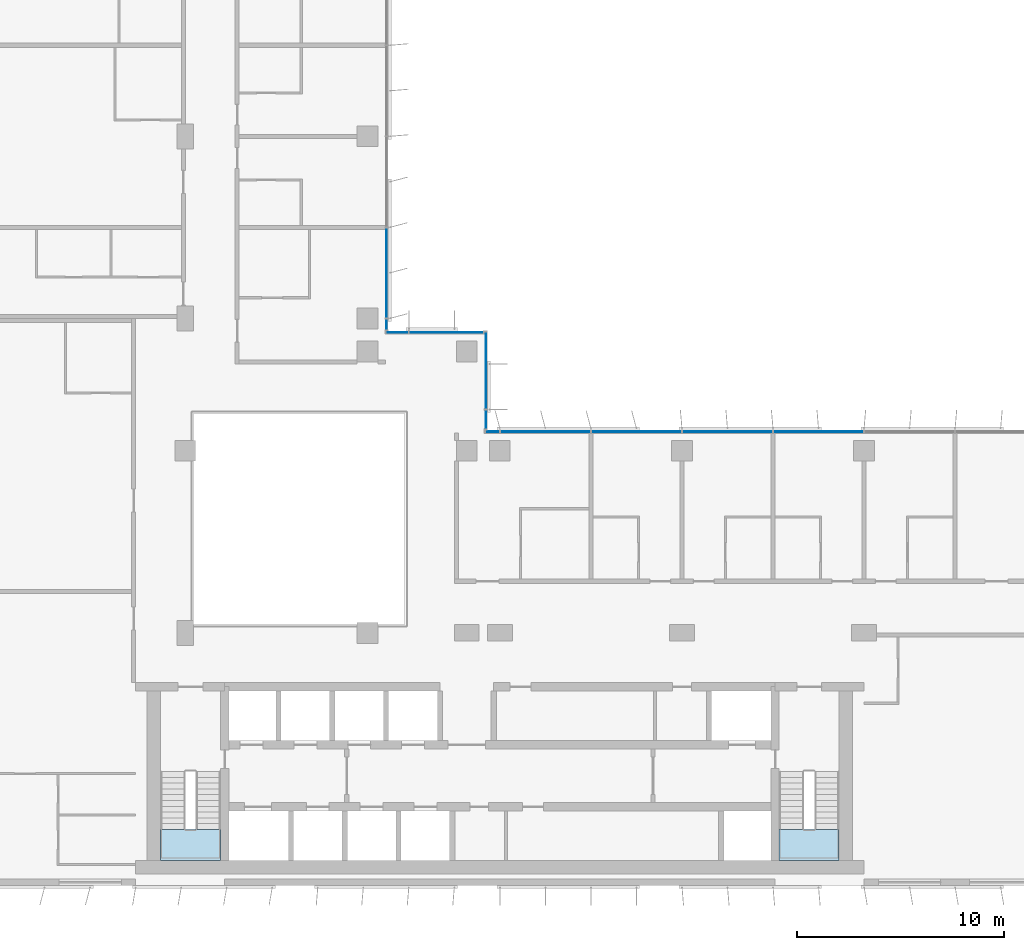
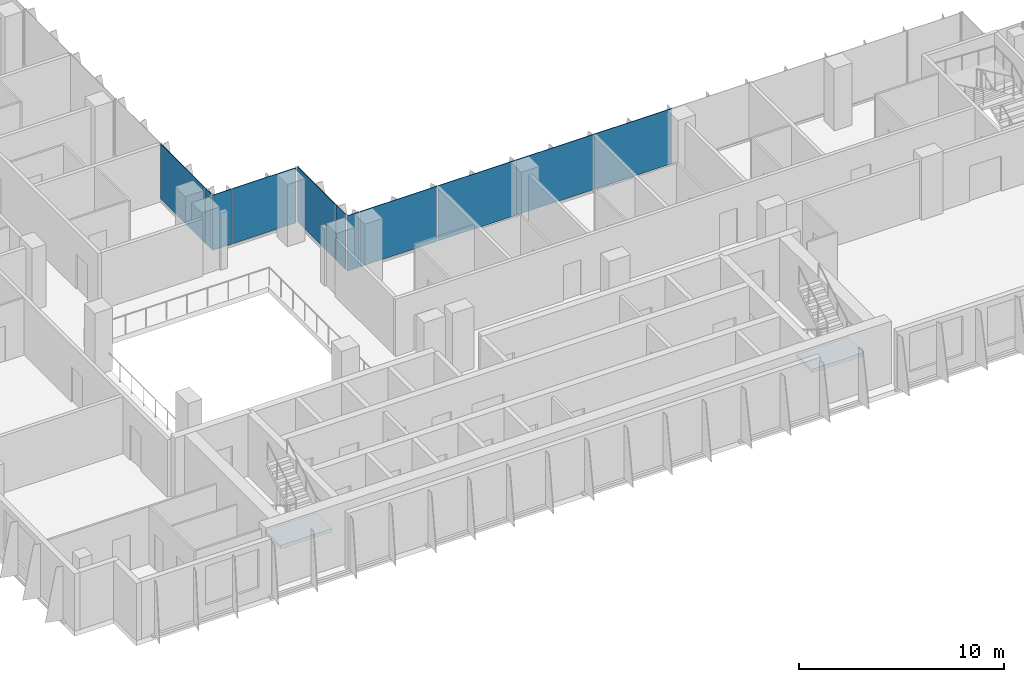
# One storey, part 10 of 21: 11 plates, 2 slabs, 6 elements without a shape of their own.
"""IFC4 building model written with IfcOpenShell, lengths in metres."""

import ifcopenshell
import ifcopenshell.guid

model = None  # the IFC model being written
_history = None  # IfcOwnerHistory: only IFC2X3 demands one
_inside = {}  # id of a spatial element -> (the spatial element, [elements in it])
_under = {}  # id of a project, library or spatial element -> (it, [spatial elements below it])
_declared = {}  # id of a project -> (the project, [libraries it declares])
_typed = {}  # id of a type object -> (the type object, [elements of that type])
_made_of = {}  # id of a material, layer set ... -> (it, [elements and type objects made of it])


def new_model(schema):
    """Start an empty IFC model of exactly this schema.

    Asked for "IFC4X3", IfcOpenShell would pick the latest addendum, in which some entities
    have other attributes; the version numbers below select the first issue.
    IFC2X3 requires an IfcOwnerHistory on every rooted entity: one is made here for all.
    """
    global model, _history
    if schema == "IFC4X3":
        model = ifcopenshell.file(schema_version=(4, 3, 0, 0))
    else:
        model = ifcopenshell.file(schema=schema)
    _inside.clear()
    _under.clear()
    _declared.clear()
    _typed.clear()
    _made_of.clear()
    _history = None
    if model.schema == "IFC2X3":
        org = make("IfcOrganization", Name="unknown")
        user = make(
            "IfcPersonAndOrganization",
            ThePerson=make("IfcPerson", FamilyName="unknown"),
            TheOrganization=org,
        )
        app = make(
            "IfcApplication",
            ApplicationDeveloper=org,
            Version="unknown",
            ApplicationFullName="unknown",
            ApplicationIdentifier="unknown",
        )
        _history = make(
            "IfcOwnerHistory",
            OwningUser=user,
            OwningApplication=app,
            ChangeAction="ADDED",
            CreationDate=0,
        )
    return model


def make(cls, **values):
    """One entity of the class cls with the attributes given. An attribute that is None is left unset."""
    return model.create_entity(
        cls, **{name: value for name, value in values.items() if value is not None}
    )


def rooted(cls, **values):
    """An entity with a GlobalId (a new one), such as an element, a storey or a relation."""
    return make(cls, GlobalId=ifcopenshell.guid.new(), OwnerHistory=_history, **values)


def si_unit(unit_type, name, prefix=None):
    """IfcSIUnit, for example si_unit("LENGTHUNIT", "METRE", prefix="MILLI")."""
    return make("IfcSIUnit", UnitType=unit_type, Prefix=prefix, Name=name)


def assignment(units):
    """IfcUnitAssignment: the units of a project."""
    return None if units is None else make("IfcUnitAssignment", Units=units)


def point(xyz):
    """IfcCartesianPoint."""
    return None if xyz is None else make("IfcCartesianPoint", Coordinates=xyz)


def direction(xyz):
    """IfcDirection."""
    return None if xyz is None else make("IfcDirection", DirectionRatios=xyz)


def frame(location, z_axis=None, x_axis=None):
    """IfcAxis2Placement3D, a coordinate frame: its origin and axes. An axis left out is left unset."""
    return make(
        "IfcAxis2Placement3D",
        Location=point(location),
        Axis=direction(z_axis),
        RefDirection=direction(x_axis),
    )


def frame_2d(location, x_axis=None):
    """IfcAxis2Placement2D, a coordinate frame in the plane: its origin and x axis."""
    return make(
        "IfcAxis2Placement2D", Location=point(location), RefDirection=direction(x_axis)
    )


def origin():
    """The frame at (0, 0, 0) with its axes left unset."""
    return frame((0.0, 0.0, 0.0))


def origin_2d():
    """The frame at (0, 0) in the plane with its x axis left unset."""
    return frame_2d((0.0, 0.0))


def place(relative_to, where):
    """IfcLocalPlacement: puts the frame where relative to a parent placement (None: the world)."""
    return make(
        "IfcLocalPlacement", PlacementRelTo=relative_to, RelativePlacement=where
    )


def context(
    kind, dimensions, precision=None, world=None, true_north=None, identifier=None
):
    """IfcGeometricRepresentationContext, for example the 3D "Model" context."""
    return make(
        "IfcGeometricRepresentationContext",
        ContextIdentifier=identifier,
        ContextType=kind,
        CoordinateSpaceDimension=dimensions,
        Precision=precision,
        WorldCoordinateSystem=world,
        TrueNorth=true_north,
    )


def subcontext(parent, identifier, kind, view, scale=None):
    """IfcGeometricRepresentationSubContext, for example "Body" below "Model"."""
    return make(
        "IfcGeometricRepresentationSubContext",
        ContextIdentifier=identifier,
        ContextType=kind,
        ParentContext=parent,
        TargetScale=scale,
        TargetView=view,
    )


def project(units=None, contexts=None):
    """IfcProject with its units and contexts."""
    return rooted(
        "IfcProject",
        Name="project",
        RepresentationContexts=contexts,
        UnitsInContext=assignment(units),
    )


def spatial(cls, under=None, at=None, **own):
    """A site, building, storey or space (cls), placed at a placement, below another one or the project."""
    s = rooted(cls, ObjectPlacement=at, **own)
    if under is not None:
        _under.setdefault(under.id(), (under, []))[1].append(s)
    return s


def polyline(points):
    """IfcPolyline through the points."""
    return make("IfcPolyline", Points=[point(p) for p in points])


def profile(cls, at=None, kind="AREA", **sizes):
    """A parametric profile (cls). Its sizes go by their IFC names, for example OverallWidth=200.0."""
    return make(cls, ProfileType=kind, Position=at, **sizes)


def rectangle(**sizes):
    """IfcRectangleProfileDef."""
    return profile("IfcRectangleProfileDef", **sizes)


def outline(outer, holes=None, kind="AREA"):
    """IfcArbitraryClosedProfileDef: a profile drawn as a closed curve; with holes, ...WithVoids."""
    if holes is None:
        return make("IfcArbitraryClosedProfileDef", ProfileType=kind, OuterCurve=outer)
    return make(
        "IfcArbitraryProfileDefWithVoids",
        ProfileType=kind,
        OuterCurve=outer,
        InnerCurves=holes,
    )


def extrude(swept, where, along, depth):
    """IfcExtrudedAreaSolid: the profile swept, set in the frame where, extruded along a direction by depth."""
    return make(
        "IfcExtrudedAreaSolid",
        SweptArea=swept,
        Position=where,
        ExtrudedDirection=direction(along),
        Depth=depth,
    )


def shape(context_of_items, identifier, shape_type, items):
    """IfcShapeRepresentation: the items that make up one representation, for example the "Body"."""
    return make(
        "IfcShapeRepresentation",
        ContextOfItems=context_of_items,
        RepresentationIdentifier=identifier,
        RepresentationType=shape_type,
        Items=items,
    )


def source(mapping_origin, context_of_items, identifier, shape_type, items):
    """IfcRepresentationMap: a shape defined once, which mapped items show again and again."""
    return make(
        "IfcRepresentationMap",
        MappingOrigin=mapping_origin,
        MappedRepresentation=shape(context_of_items, identifier, shape_type, items),
    )


def transform(
    local_origin,
    x_axis=None,
    y_axis=None,
    z_axis=None,
    scale=None,
    scale2=None,
    scale3=None,
    uniform=True,
):
    """IfcCartesianTransformationOperator3D, or its non-uniform kind. x_axis, y_axis, z_axis: its Axis1, 2, 3."""
    if uniform:
        return make(
            "IfcCartesianTransformationOperator3D",
            Axis1=direction(x_axis),
            Axis2=direction(y_axis),
            LocalOrigin=point(local_origin),
            Scale=scale,
            Axis3=direction(z_axis),
        )
    return make(
        "IfcCartesianTransformationOperator3DnonUniform",
        Axis1=direction(x_axis),
        Axis2=direction(y_axis),
        LocalOrigin=point(local_origin),
        Scale=scale,
        Axis3=direction(z_axis),
        Scale2=scale2,
        Scale3=scale3,
    )


def mapped(mapping_source, mapping_target):
    """IfcMappedItem: shows the shape of a source again, moved by a transform."""
    return make(
        "IfcMappedItem", MappingSource=mapping_source, MappingTarget=mapping_target
    )


def material(Name=None, Category=None):
    """IfcMaterial."""
    return make("IfcMaterial", Name=Name, Category=Category)


def layer(
    of_material, thickness, ventilated=None, Name=None, Category=None, Priority=None
):
    """IfcMaterialLayer: one layer of a wall or slab, of a material (None: an air gap)."""
    return make(
        "IfcMaterialLayer",
        Material=of_material,
        LayerThickness=thickness,
        IsVentilated=ventilated,
        Name=Name,
        Category=Category,
        Priority=Priority,
    )


def layer_set(layers, Name=None):
    """IfcMaterialLayerSet."""
    return make("IfcMaterialLayerSet", MaterialLayers=layers, LayerSetName=Name)


def made_of(thing, what):
    """Note that an element or type object is made of a material, layer set ...; save() writes the relation."""
    if what is not None:
        _made_of.setdefault(what.id(), (what, []))[1].append(thing)
    return thing


def type_object(cls, material=None, **own):
    """A type object (cls), such as IfcWallType, which elements share."""
    return made_of(rooted(cls, **own), material)


def element(
    cls,
    number,
    at=None,
    inside=None,
    cuts=None,
    type_object=None,
    material=None,
    context=None,
    identifier="Body",
    shape_type=None,
    held_by="IfcProductDefinitionShape",
    body=None,
    shapes=None,
    **own,
):
    """One element of the class cls, such as IfcWall. Its Tag is "e" and its number.

    at: its placement. inside: the storey or other place that contains it. cuts: it is an
    opening in that element (IfcRelVoidsElement). A single representation is given by context,
    identifier, shape_type and body (its items); several are given by shapes. held_by: the class
    of the entity that holds the representations. save() writes the other relations.
    """
    e = rooted(cls, Tag="e%d" % number, ObjectPlacement=at, **own)
    if body is not None:
        shapes = [shape(context, identifier, shape_type, body)]
    if shapes is not None:
        e.Representation = make(held_by, Representations=shapes)
    if inside is not None:
        _inside.setdefault(inside.id(), (inside, []))[1].append(e)
    if cuts is not None:
        rooted(
            "IfcRelVoidsElement", RelatingBuildingElement=cuts, RelatedOpeningElement=e
        )
    if type_object is not None:
        _typed.setdefault(type_object.id(), (type_object, []))[1].append(e)
    return made_of(e, material)


def aggregate(whole, parts):
    """IfcRelAggregates: a whole, such as a stair, and the parts it consists of."""
    return rooted("IfcRelAggregates", RelatingObject=whole, RelatedObjects=parts)


def save(model, path):
    """Write the relations noted so far, then the file.

    IfcRelAggregates (storeys below a building ...), IfcRelContainedInSpatialStructure (elements
    in a storey), IfcRelDefinesByType, IfcRelAssociatesMaterial and IfcRelDeclares: one each for
    every whole, place, type object, material and project.
    """
    for whole, parts in _under.values():
        aggregate(whole, parts)
    for where, things in _inside.values():
        rooted(
            "IfcRelContainedInSpatialStructure",
            RelatedElements=things,
            RelatingStructure=where,
        )
    for kind, things in _typed.values():
        rooted("IfcRelDefinesByType", RelatedObjects=things, RelatingType=kind)
    for what, things in _made_of.values():
        rooted("IfcRelAssociatesMaterial", RelatedObjects=things, RelatingMaterial=what)
    for by, libraries in _declared.values():
        rooted("IfcRelDeclares", RelatingContext=by, RelatedDefinitions=libraries)
    model.write(path)


model = new_model("IFC4")

# Units and contexts
model_context = context("Model", 3, precision=1e-05, world=origin(), true_north=direction((0.0, 1.0)))
body_context = subcontext(model_context, "Body", "Model", "MODEL_VIEW")
ifc_project = project(units=[si_unit("LENGTHUNIT", "METRE"), si_unit("AREAUNIT", "SQUARE_METRE"), si_unit("VOLUMEUNIT", "CUBIC_METRE"), si_unit("PLANEANGLEUNIT", "RADIAN"), si_unit("MASSUNIT", "GRAM", prefix="KILO")], contexts=[model_context])

# Site, building, storey
site_placement = place(None, origin())
site = spatial("IfcSite", under=ifc_project, at=site_placement, CompositionType="ELEMENT")
building_placement = place(site_placement, origin())
building = spatial("IfcBuilding", under=site, at=building_placement, Name="Kemantara Hotel Tower", CompositionType="ELEMENT")
storey_placement = place(building_placement, frame((0.0, 0.0, 182.699951171875)))
storey = spatial("IfcBuildingStorey", under=building, at=storey_placement, Name="L45", CompositionType="ELEMENT", Elevation=182.699951171875)

# Stair, slab
ifc_material_1 = material(Name="Concrete fc 40 MPa", Category="concrete")
stair_type = type_object("IfcStairType", Name="Stair 1200 wide 22 risers of 168 x 280 mm", PredefinedType="HALF_TURN_STAIR", material=ifc_material_1)
stair_1_placement = place(storey_placement, origin())
stair_1 = element("IfcStair", 1, at=stair_1_placement, inside=storey, type_object=stair_type, Name="L45 Exit stair ST1", PredefinedType="HALF_TURN_STAIR")
ifc_layer_1 = layer(ifc_material_1, 0.199951171875)
ifc_layer_set_1 = layer_set([ifc_layer_1], Name="Concrete fc 40 MPa")
slab_type = type_object("IfcSlabType", Name="Stair landing 200 mm", PredefinedType="LANDING", material=ifc_layer_set_1)
slab_1_placement = place(storey_placement, frame((0.0, 0.0, 1.650146484375)))
slab_1 = element("IfcSlab", 2, at=slab_1_placement, type_object=slab_type, Name="ST1 landing 1", PredefinedType="LANDING", context=body_context, shape_type="SweptSolid", body=[
    extrude(outline(polyline([(11.0, 2.699951171875), (11.0, 1.199951171875), (13.89990234375, 1.199951171875), (13.89990234375, 2.699951171875), (11.0, 2.699951171875)])), origin(), (0.0, 0.0, 1.0), 0.199951171875),
])
aggregate(stair_1, [slab_1])

stair_2_placement = place(storey_placement, origin())
stair_2 = element("IfcStair", 3, at=stair_2_placement, inside=storey, type_object=stair_type, Name="L45 Exit stair ST2", PredefinedType="HALF_TURN_STAIR")
slab_2_placement = place(storey_placement, frame((0.0, 0.0, 1.650146484375)))
slab_2 = element("IfcSlab", 4, at=slab_2_placement, type_object=slab_type, Name="ST2 landing 1", PredefinedType="LANDING", context=body_context, shape_type="SweptSolid", body=[
    extrude(outline(polyline([(40.89990234375, 2.699951171875), (40.89990234375, 1.199951171875), (43.800048828125, 1.199951171875), (43.800048828125, 2.699951171875), (40.89990234375, 2.699951171875)])), origin(), (0.0, 0.0, 1.0), 0.199951171875),
])
aggregate(stair_2, [slab_2])

# Curtain wall, plates
ifc_material_2 = material(Name="Low-E tinted double insulated glass 36 mm", Category="glass")
curtain_wall_type = type_object("IfcCurtainWallType", Name="TOWER CURTAIN WALL, FRONT FACES", PredefinedType="USERDEFINED", material=ifc_material_2)
curtain_wall_1_placement = place(storey_placement, origin())
curtain_wall_1 = element("IfcCurtainWall", 5, at=curtain_wall_1_placement, inside=storey, type_object=curtain_wall_type, Name="CW4 L45 T3-R14-1", ObjectType="TOWER CURTAIN WALL, FRONT FACES", PredefinedType="USERDEFINED")
ifc_layer_2 = layer(ifc_material_2, 0.035888671875)
ifc_layer_set_2 = layer_set([ifc_layer_2], Name="Low-E tinted double insulated glass 36 mm")
plate_type = type_object("IfcPlateType", Name="TOWER CURTAIN WALL, FRONT FACES PANEL", PredefinedType="CURTAIN_PANEL", material=ifc_layer_set_2)
shared_shape_1 = source(origin(), body_context, "Body", "SweptSolid", [
    extrude(rectangle(XDim=4.340087890625, YDim=0.035888671875, at=origin_2d()), origin(), (0.0, 0.0, 1.0), 3.280029296875),
])
plate_1_placement = place(storey_placement, frame((42.800048828125, 21.925048828125, 0.1201171875), z_axis=(0.0, 0.0, 1.0), x_axis=(-1.0, 0.0, 0.0)))
plate_1 = element("IfcPlate", 6, at=plate_1_placement, type_object=plate_type, Name="CW4 glass panel T3-R14-1.5", PredefinedType="CURTAIN_PANEL", context=body_context, shape_type="MappedRepresentation", body=[
    mapped(shared_shape_1, transform((0.0, 0.0, 0.0))),
])
plate_2_placement = place(storey_placement, frame((38.39990234375, 21.925048828125, 0.1201171875), z_axis=(0.0, 0.0, 1.0), x_axis=(-1.0, 0.0, 0.0)))
plate_2 = element("IfcPlate", 7, at=plate_2_placement, type_object=plate_type, Name="CW4 glass panel T3-R14-1.6", PredefinedType="CURTAIN_PANEL", context=body_context, shape_type="MappedRepresentation", body=[
    mapped(shared_shape_1, transform((0.0, 0.0, 0.0))),
])
plate_3_placement = place(storey_placement, frame((34.0, 21.925048828125, 0.1201171875), z_axis=(0.0, 0.0, 1.0), x_axis=(-1.0, 0.0, 0.0)))
plate_3 = element("IfcPlate", 8, at=plate_3_placement, type_object=plate_type, Name="CW4 glass panel T3-R14-1.7", PredefinedType="CURTAIN_PANEL", context=body_context, shape_type="MappedRepresentation", body=[
    mapped(shared_shape_1, transform((0.0, 0.0, 0.0))),
])
plate_4_placement = place(storey_placement, frame((29.60009765625, 21.925048828125, 0.1201171875), z_axis=(0.0, 0.0, 1.0), x_axis=(-1.0, 0.0, 0.0)))
plate_4 = element("IfcPlate", 9, at=plate_4_placement, type_object=plate_type, Name="CW4 glass panel T3-R14-1.8", PredefinedType="CURTAIN_PANEL", context=body_context, shape_type="MappedRepresentation", body=[
    mapped(shared_shape_1, transform((0.0, 0.0, 0.0))),
])

# Curtain wall, plate
curtain_wall_2_placement = place(storey_placement, origin())
curtain_wall_2 = element("IfcCurtainWall", 10, at=curtain_wall_2_placement, inside=storey, type_object=curtain_wall_type, Name="CW4 L45 T3-R17-1", ObjectType="TOWER CURTAIN WALL, FRONT FACES", PredefinedType="USERDEFINED")
plate_5_placement = place(storey_placement, frame((21.925048828125, 29.60009765625, 0.1201171875), z_axis=(0.0, 0.0, 1.0), x_axis=(0.0, 1.0, 0.0)))
plate_5 = element("IfcPlate", 11, at=plate_5_placement, type_object=plate_type, Name="CW4 glass panel T3-R17-1.2", PredefinedType="CURTAIN_PANEL", context=body_context, shape_type="MappedRepresentation", body=[
    mapped(shared_shape_1, transform((0.0, 0.0, 0.0))),
])

# Plate
shared_shape_2 = source(origin(), body_context, "Body", "SweptSolid", [
    extrude(rectangle(XDim=0.659912109375, YDim=0.035888671875, at=origin_2d()), origin(), (0.0, 0.0, 1.0), 3.280029296875),
])
plate_6_placement = place(storey_placement, frame((27.0400390625, 21.925048828125, 0.1201171875), z_axis=(0.0, 0.0, 1.0), x_axis=(-1.0, 0.0, 0.0)))
plate_6 = element("IfcPlate", 12, at=plate_6_placement, type_object=plate_type, Name="CW4 glass panel T3-R14-1.9", PredefinedType="CURTAIN_PANEL", context=body_context, shape_type="MappedRepresentation", body=[
    mapped(shared_shape_2, transform((0.0, 0.0, 0.0))),
])

aggregate(curtain_wall_1, [plate_1, plate_2, plate_3, plate_4, plate_6])

shared_shape_3 = source(origin(), body_context, "Body", "SweptSolid", [
    extrude(rectangle(XDim=0.510009765625, YDim=0.035888671875, at=origin_2d()), origin(), (0.0, 0.0, 1.0), 3.280029296875),
])
plate_7_placement = place(storey_placement, frame((21.925048828125, 27.114990234375, 0.1201171875), z_axis=(0.0, 0.0, 1.0), x_axis=(0.0, 1.0, 0.0)))
plate_7 = element("IfcPlate", 13, at=plate_7_placement, type_object=plate_type, Name="CW4 glass panel T3-R17-1.1", PredefinedType="CURTAIN_PANEL", context=body_context, shape_type="MappedRepresentation", body=[
    mapped(shared_shape_3, transform((0.0, 0.0, 0.0))),
])

aggregate(curtain_wall_2, [plate_7, plate_5])

# Curtain wall, plates
curtain_wall_3_placement = place(storey_placement, origin())
curtain_wall_3 = element("IfcCurtainWall", 14, at=curtain_wall_3_placement, inside=storey, type_object=curtain_wall_type, Name="CW4 L45 T3-R15-1", ObjectType="TOWER CURTAIN WALL, FRONT FACES", PredefinedType="USERDEFINED")
shared_shape_4 = source(origin(), body_context, "Body", "SweptSolid", [
    extrude(rectangle(XDim=0.909912109375, YDim=0.035888671875, at=origin_2d()), origin(), (0.0, 0.0, 1.0), 3.280029296875),
])
plate_8_placement = place(storey_placement, frame((26.72509765625, 22.514892578125, 0.1201171875), z_axis=(0.0, 0.0, 1.0), x_axis=(0.0, 1.0, 0.0)))
plate_8 = element("IfcPlate", 15, at=plate_8_placement, type_object=plate_type, Name="CW4 glass panel T3-R15-1.1", PredefinedType="CURTAIN_PANEL", context=body_context, shape_type="MappedRepresentation", body=[
    mapped(shared_shape_4, transform((0.0, 0.0, 0.0))),
])
shared_shape_5 = source(origin(), body_context, "Body", "SweptSolid", [
    extrude(rectangle(XDim=3.7099609375, YDim=0.035888671875, at=origin_2d()), origin(), (0.0, 0.0, 1.0), 3.280029296875),
])
plate_9_placement = place(storey_placement, frame((26.72509765625, 24.885009765625, 0.1201171875), z_axis=(0.0, 0.0, 1.0), x_axis=(0.0, 1.0, 0.0)))
plate_9 = element("IfcPlate", 16, at=plate_9_placement, type_object=plate_type, Name="CW4 glass panel T3-R15-1.2", PredefinedType="CURTAIN_PANEL", context=body_context, shape_type="MappedRepresentation", body=[
    mapped(shared_shape_5, transform((0.0, 0.0, 0.0))),
])
aggregate(curtain_wall_3, [plate_8, plate_9])

curtain_wall_4_placement = place(storey_placement, origin())
curtain_wall_4 = element("IfcCurtainWall", 17, at=curtain_wall_4_placement, inside=storey, type_object=curtain_wall_type, Name="CW4 L45 T3-R16-1", ObjectType="TOWER CURTAIN WALL, FRONT FACES", PredefinedType="USERDEFINED")
shared_shape_6 = source(origin(), body_context, "Body", "SweptSolid", [
    extrude(rectangle(XDim=3.56005859375, YDim=0.035888671875, at=origin_2d()), origin(), (0.0, 0.0, 1.0), 3.280029296875),
])
plate_10_placement = place(storey_placement, frame((24.81005859375, 26.72509765625, 0.1201171875), z_axis=(0.0, 0.0, 1.0), x_axis=(-1.0, 0.0, 0.0)))
plate_10 = element("IfcPlate", 18, at=plate_10_placement, type_object=plate_type, Name="CW4 glass panel T3-R16-1.1", PredefinedType="CURTAIN_PANEL", context=body_context, shape_type="MappedRepresentation", body=[
    mapped(shared_shape_6, transform((0.0, 0.0, 0.0))),
])
shared_shape_7 = source(origin(), body_context, "Body", "SweptSolid", [
    extrude(rectangle(XDim=1.06005859375, YDim=0.035888671875, at=origin_2d()), origin(), (0.0, 0.0, 1.0), 3.280029296875),
])
plate_11_placement = place(storey_placement, frame((22.43994140625, 26.72509765625, 0.1201171875), z_axis=(0.0, 0.0, 1.0), x_axis=(-1.0, 0.0, 0.0)))
plate_11 = element("IfcPlate", 19, at=plate_11_placement, type_object=plate_type, Name="CW4 glass panel T3-R16-1.2", PredefinedType="CURTAIN_PANEL", context=body_context, shape_type="MappedRepresentation", body=[
    mapped(shared_shape_7, transform((0.0, 0.0, 0.0))),
])
aggregate(curtain_wall_4, [plate_10, plate_11])

save(model, "model.ifc")
